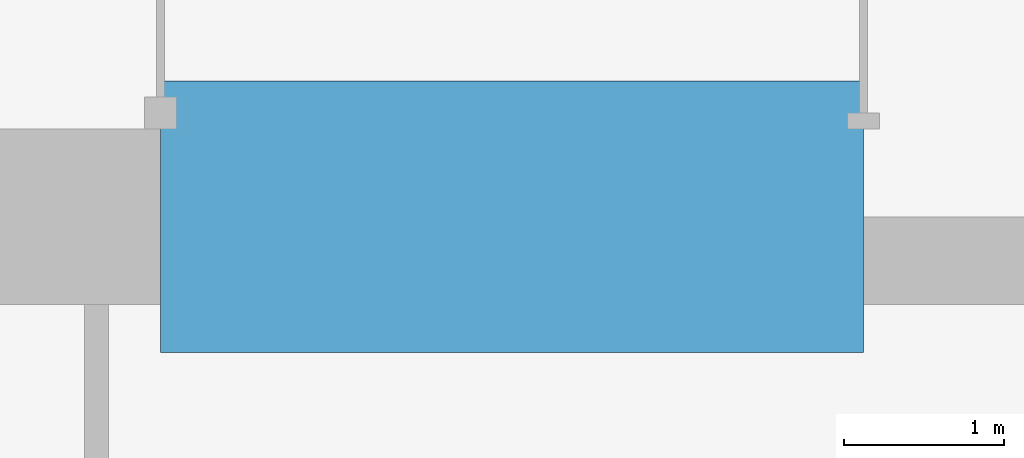
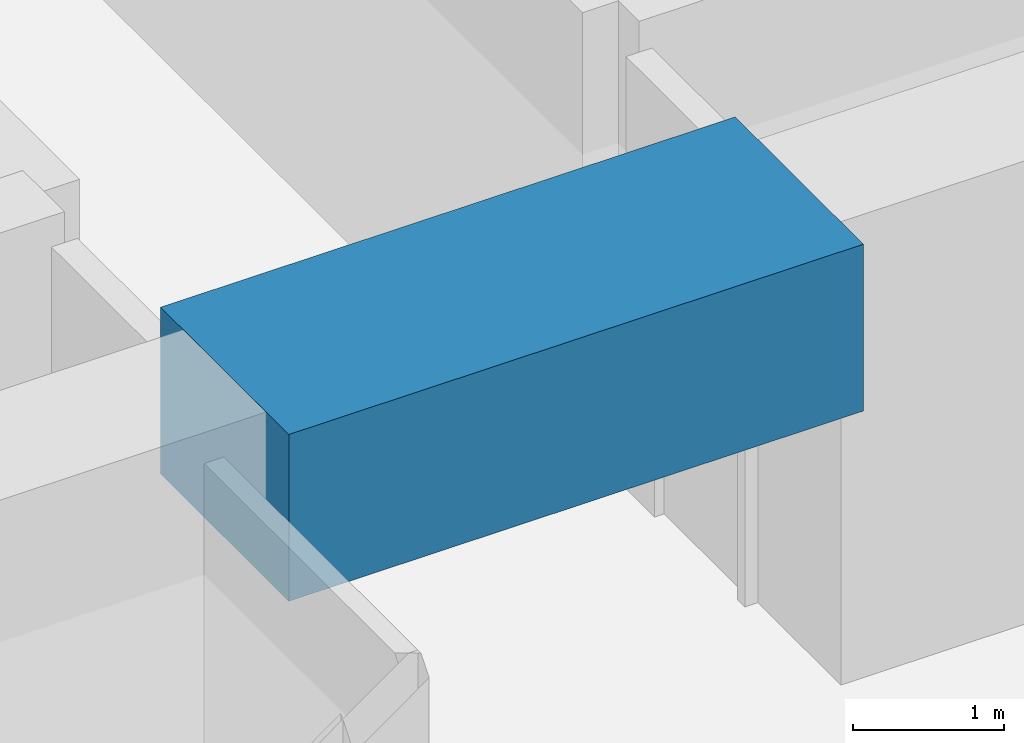
# One storey, part 13 of 44: 1 beam.
"""IFC4 building model written with IfcOpenShell, lengths in metres."""

from ifc_helpers import new_model, si_unit, direction, frame, origin, origin_2d, place, context, subcontext, project, spatial, rectangle, extrude, material, material_profile, profile_set, type_object, element, save


model = new_model("IFC4")

# Units and contexts
model_context = context("Model", 3, precision=1e-05, world=origin(), true_north=direction((0.0, 1.0)))
body_context = subcontext(model_context, "Body", "Model", "MODEL_VIEW")
ifc_project = project(units=[si_unit("LENGTHUNIT", "METRE"), si_unit("AREAUNIT", "SQUARE_METRE"), si_unit("VOLUMEUNIT", "CUBIC_METRE"), si_unit("PLANEANGLEUNIT", "RADIAN"), si_unit("MASSUNIT", "GRAM", prefix="KILO")], contexts=[model_context])

# Site, building, storey
site_placement = place(None, origin())
site = spatial("IfcSite", under=ifc_project, at=site_placement, CompositionType="ELEMENT")
building_placement = place(site_placement, origin())
building = spatial("IfcBuilding", under=site, at=building_placement, Name="Rekha Terrace Tower", CompositionType="ELEMENT")
storey_placement = place(building_placement, frame((0.0, 0.0, 66.64990234375)))
storey = spatial("IfcBuildingStorey", under=building, at=storey_placement, Name="L16", CompositionType="ELEMENT", Elevation=66.64990234375)

# Beam
ifc_material = material(Name="Concrete M70", Category="concrete")
ifc_material_profile = material_profile(ifc_material, rectangle(XDim=1.699951171875, YDim=1.35009765625, at=origin_2d()), Name="RC 1700x1350")
ifc_profile_set = profile_set([ifc_material_profile], Name="Concrete M70")
beam_type = type_object("IfcBeamType", Name="LB1A 1700x1350 diagonally reinforced coupling beam", PredefinedType="LINTEL", material=ifc_profile_set)
beam_placement = place(storey_placement, frame((35.60009765625, 21.0, 3.0751953125), z_axis=(1.0, 0.0, 0.0), x_axis=(0.0, 1.0, 0.0)))
element("IfcBeam", 1, at=beam_placement, inside=storey, type_object=beam_type, Name="Coupling beam LB1A S L16", PredefinedType="LINTEL", context=body_context, shape_type="SweptSolid", body=[
    extrude(rectangle(XDim=1.699951171875, YDim=1.35009765625, at=origin_2d()), origin(), (0.0, 0.0, 1.0), 4.39990234375),
])

save(model, "model.ifc")
